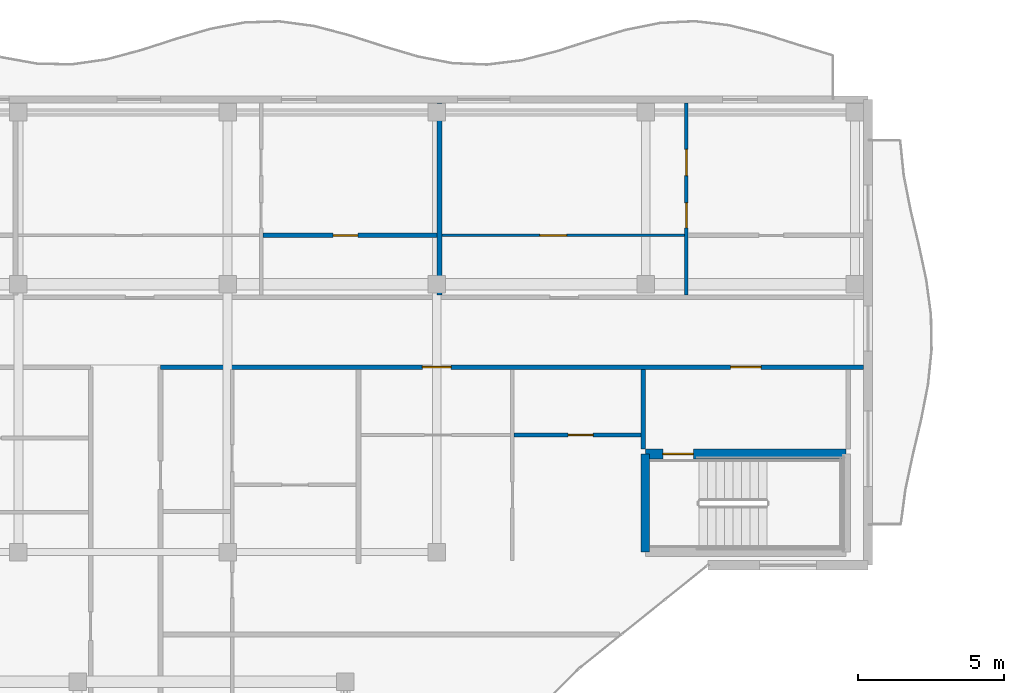
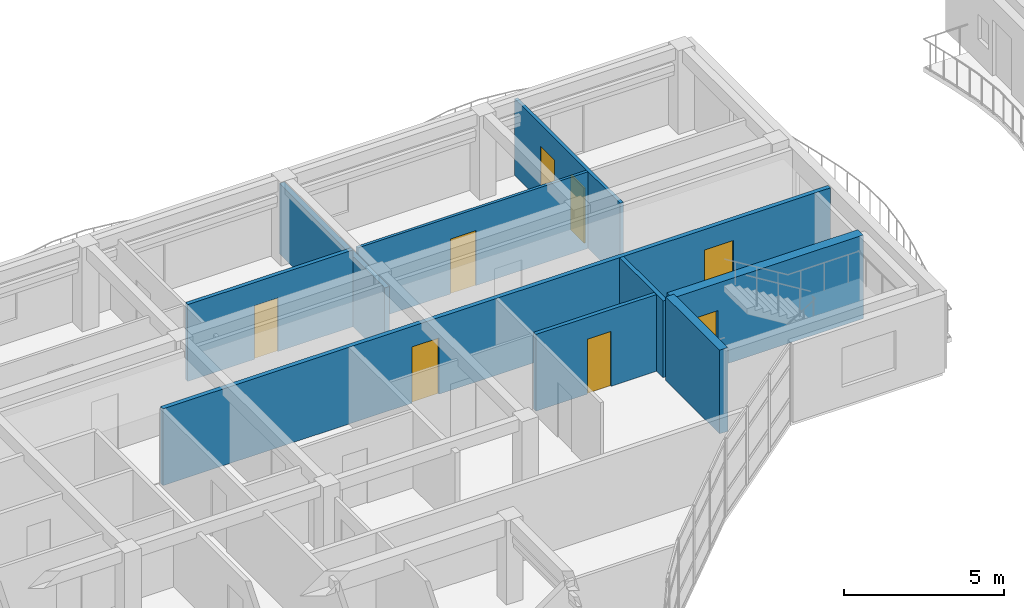
# One storey, part 41 of 72: 9 walls, 8 doors, 8 openings.
"""IFC4 building model written with IfcOpenShell, lengths in metres."""

import ifcopenshell
import ifcopenshell.guid

model = None  # the IFC model being written
_history = None  # IfcOwnerHistory: only IFC2X3 demands one
_inside = {}  # id of a spatial element -> (the spatial element, [elements in it])
_under = {}  # id of a project, library or spatial element -> (it, [spatial elements below it])
_declared = {}  # id of a project -> (the project, [libraries it declares])
_typed = {}  # id of a type object -> (the type object, [elements of that type])
_made_of = {}  # id of a material, layer set ... -> (it, [elements and type objects made of it])


def new_model(schema):
    """Start an empty IFC model of exactly this schema.

    Asked for "IFC4X3", IfcOpenShell would pick the latest addendum, in which some entities
    have other attributes; the version numbers below select the first issue.
    IFC2X3 requires an IfcOwnerHistory on every rooted entity: one is made here for all.
    """
    global model, _history
    if schema == "IFC4X3":
        model = ifcopenshell.file(schema_version=(4, 3, 0, 0))
    else:
        model = ifcopenshell.file(schema=schema)
    _inside.clear()
    _under.clear()
    _declared.clear()
    _typed.clear()
    _made_of.clear()
    _history = None
    if model.schema == "IFC2X3":
        org = make("IfcOrganization", Name="unknown")
        user = make(
            "IfcPersonAndOrganization",
            ThePerson=make("IfcPerson", FamilyName="unknown"),
            TheOrganization=org,
        )
        app = make(
            "IfcApplication",
            ApplicationDeveloper=org,
            Version="unknown",
            ApplicationFullName="unknown",
            ApplicationIdentifier="unknown",
        )
        _history = make(
            "IfcOwnerHistory",
            OwningUser=user,
            OwningApplication=app,
            ChangeAction="ADDED",
            CreationDate=0,
        )
    return model


def make(cls, **values):
    """One entity of the class cls with the attributes given. An attribute that is None is left unset."""
    return model.create_entity(
        cls, **{name: value for name, value in values.items() if value is not None}
    )


def rooted(cls, **values):
    """An entity with a GlobalId (a new one), such as an element, a storey or a relation."""
    return make(cls, GlobalId=ifcopenshell.guid.new(), OwnerHistory=_history, **values)


def si_unit(unit_type, name, prefix=None):
    """IfcSIUnit, for example si_unit("LENGTHUNIT", "METRE", prefix="MILLI")."""
    return make("IfcSIUnit", UnitType=unit_type, Prefix=prefix, Name=name)


def assignment(units):
    """IfcUnitAssignment: the units of a project."""
    return None if units is None else make("IfcUnitAssignment", Units=units)


def point(xyz):
    """IfcCartesianPoint."""
    return None if xyz is None else make("IfcCartesianPoint", Coordinates=xyz)


def direction(xyz):
    """IfcDirection."""
    return None if xyz is None else make("IfcDirection", DirectionRatios=xyz)


def frame(location, z_axis=None, x_axis=None):
    """IfcAxis2Placement3D, a coordinate frame: its origin and axes. An axis left out is left unset."""
    return make(
        "IfcAxis2Placement3D",
        Location=point(location),
        Axis=direction(z_axis),
        RefDirection=direction(x_axis),
    )


def frame_2d(location, x_axis=None):
    """IfcAxis2Placement2D, a coordinate frame in the plane: its origin and x axis."""
    return make(
        "IfcAxis2Placement2D", Location=point(location), RefDirection=direction(x_axis)
    )


def origin():
    """The frame at (0, 0, 0) with its axes left unset."""
    return frame((0.0, 0.0, 0.0))


def place(relative_to, where):
    """IfcLocalPlacement: puts the frame where relative to a parent placement (None: the world)."""
    return make(
        "IfcLocalPlacement", PlacementRelTo=relative_to, RelativePlacement=where
    )


def context(
    kind, dimensions, precision=None, world=None, true_north=None, identifier=None
):
    """IfcGeometricRepresentationContext, for example the 3D "Model" context."""
    return make(
        "IfcGeometricRepresentationContext",
        ContextIdentifier=identifier,
        ContextType=kind,
        CoordinateSpaceDimension=dimensions,
        Precision=precision,
        WorldCoordinateSystem=world,
        TrueNorth=true_north,
    )


def subcontext(parent, identifier, kind, view, scale=None):
    """IfcGeometricRepresentationSubContext, for example "Body" below "Model"."""
    return make(
        "IfcGeometricRepresentationSubContext",
        ContextIdentifier=identifier,
        ContextType=kind,
        ParentContext=parent,
        TargetScale=scale,
        TargetView=view,
    )


def project(units=None, contexts=None):
    """IfcProject with its units and contexts."""
    return rooted(
        "IfcProject",
        Name="project",
        RepresentationContexts=contexts,
        UnitsInContext=assignment(units),
    )


def spatial(cls, under=None, at=None, **own):
    """A site, building, storey or space (cls), placed at a placement, below another one or the project."""
    s = rooted(cls, ObjectPlacement=at, **own)
    if under is not None:
        _under.setdefault(under.id(), (under, []))[1].append(s)
    return s


def profile(cls, at=None, kind="AREA", **sizes):
    """A parametric profile (cls). Its sizes go by their IFC names, for example OverallWidth=200.0."""
    return make(cls, ProfileType=kind, Position=at, **sizes)


def rectangle(**sizes):
    """IfcRectangleProfileDef."""
    return profile("IfcRectangleProfileDef", **sizes)


def extrude(swept, where, along, depth):
    """IfcExtrudedAreaSolid: the profile swept, set in the frame where, extruded along a direction by depth."""
    return make(
        "IfcExtrudedAreaSolid",
        SweptArea=swept,
        Position=where,
        ExtrudedDirection=direction(along),
        Depth=depth,
    )


def shape(context_of_items, identifier, shape_type, items):
    """IfcShapeRepresentation: the items that make up one representation, for example the "Body"."""
    return make(
        "IfcShapeRepresentation",
        ContextOfItems=context_of_items,
        RepresentationIdentifier=identifier,
        RepresentationType=shape_type,
        Items=items,
    )


def material(Name=None, Category=None):
    """IfcMaterial."""
    return make("IfcMaterial", Name=Name, Category=Category)


def layer(
    of_material, thickness, ventilated=None, Name=None, Category=None, Priority=None
):
    """IfcMaterialLayer: one layer of a wall or slab, of a material (None: an air gap)."""
    return make(
        "IfcMaterialLayer",
        Material=of_material,
        LayerThickness=thickness,
        IsVentilated=ventilated,
        Name=Name,
        Category=Category,
        Priority=Priority,
    )


def layer_set(layers, Name=None):
    """IfcMaterialLayerSet."""
    return make("IfcMaterialLayerSet", MaterialLayers=layers, LayerSetName=Name)


def made_of(thing, what):
    """Note that an element or type object is made of a material, layer set ...; save() writes the relation."""
    if what is not None:
        _made_of.setdefault(what.id(), (what, []))[1].append(thing)
    return thing


def type_object(cls, material=None, **own):
    """A type object (cls), such as IfcWallType, which elements share."""
    return made_of(rooted(cls, **own), material)


def element(
    cls,
    number,
    at=None,
    inside=None,
    cuts=None,
    type_object=None,
    material=None,
    context=None,
    identifier="Body",
    shape_type=None,
    held_by="IfcProductDefinitionShape",
    body=None,
    shapes=None,
    **own,
):
    """One element of the class cls, such as IfcWall. Its Tag is "e" and its number.

    at: its placement. inside: the storey or other place that contains it. cuts: it is an
    opening in that element (IfcRelVoidsElement). A single representation is given by context,
    identifier, shape_type and body (its items); several are given by shapes. held_by: the class
    of the entity that holds the representations. save() writes the other relations.
    """
    e = rooted(cls, Tag="e%d" % number, ObjectPlacement=at, **own)
    if body is not None:
        shapes = [shape(context, identifier, shape_type, body)]
    if shapes is not None:
        e.Representation = make(held_by, Representations=shapes)
    if inside is not None:
        _inside.setdefault(inside.id(), (inside, []))[1].append(e)
    if cuts is not None:
        rooted(
            "IfcRelVoidsElement", RelatingBuildingElement=cuts, RelatedOpeningElement=e
        )
    if type_object is not None:
        _typed.setdefault(type_object.id(), (type_object, []))[1].append(e)
    return made_of(e, material)


def fill(opening, filler):
    """IfcRelFillsElement: the door or window that sits in an opening."""
    return rooted(
        "IfcRelFillsElement",
        RelatingOpeningElement=opening,
        RelatedBuildingElement=filler,
    )


def aggregate(whole, parts):
    """IfcRelAggregates: a whole, such as a stair, and the parts it consists of."""
    return rooted("IfcRelAggregates", RelatingObject=whole, RelatedObjects=parts)


def save(model, path):
    """Write the relations noted so far, then the file.

    IfcRelAggregates (storeys below a building ...), IfcRelContainedInSpatialStructure (elements
    in a storey), IfcRelDefinesByType, IfcRelAssociatesMaterial and IfcRelDeclares: one each for
    every whole, place, type object, material and project.
    """
    for whole, parts in _under.values():
        aggregate(whole, parts)
    for where, things in _inside.values():
        rooted(
            "IfcRelContainedInSpatialStructure",
            RelatedElements=things,
            RelatingStructure=where,
        )
    for kind, things in _typed.values():
        rooted("IfcRelDefinesByType", RelatedObjects=things, RelatingType=kind)
    for what, things in _made_of.values():
        rooted("IfcRelAssociatesMaterial", RelatedObjects=things, RelatingMaterial=what)
    for by, libraries in _declared.values():
        rooted("IfcRelDeclares", RelatingContext=by, RelatedDefinitions=libraries)
    model.write(path)


model = new_model("IFC4")

# Units and contexts
model_context = context("Model", 3, precision=1e-05, world=origin(), true_north=direction((0.0, 1.0)))
body_context = subcontext(model_context, "Body", "Model", "MODEL_VIEW")
ifc_project = project(units=[si_unit("LENGTHUNIT", "METRE"), si_unit("AREAUNIT", "SQUARE_METRE"), si_unit("VOLUMEUNIT", "CUBIC_METRE"), si_unit("PLANEANGLEUNIT", "RADIAN"), si_unit("MASSUNIT", "GRAM", prefix="KILO")], contexts=[model_context])

# Site, building, storey
site_placement = place(None, origin())
site = spatial("IfcSite", under=ifc_project, at=site_placement, CompositionType="ELEMENT")
building_placement = place(site_placement, origin())
building = spatial("IfcBuilding", under=site, at=building_placement, Name="Keldmere Railside Commons", CompositionType="ELEMENT")
storey_placement = place(building_placement, frame((0.0, 0.0, 16.9599609375)))
storey = spatial("IfcBuildingStorey", under=building, at=storey_placement, Name="L05", CompositionType="ELEMENT", Elevation=16.9599609375)

# Wall
ifc_material_1 = material(Name="Acoustic Gypsum Board Partition", Category="gypsum")
ifc_layer_1 = layer(ifc_material_1, 0.179931640625, Name="Acoustic Demising Partition 180")
ifc_layer_set_1 = layer_set([ifc_layer_1], Name="Acoustic Gypsum Board Partition")
wall_type_1 = type_object("IfcWallType", Name="Acoustic Demising Partition 180", PredefinedType="PARTITIONING", material=ifc_layer_set_1)
wall_1_placement = place(storey_placement, frame((122.780029296875, 109.280029296875, 0.0), z_axis=(0.0, 0.0, 1.0), x_axis=(0.0, 1.0, 0.0)))
element("IfcWall", 1, at=wall_1_placement, inside=storey, type_object=wall_type_1, Name="IW-1 IW-L05-1122", PredefinedType="PARTITIONING", context=body_context, shape_type="SweptSolid", body=[
    extrude(rectangle(XDim=6.599853515625, YDim=0.179931640625, at=frame_2d((3.2998046875, 0.0))), origin(), (0.0, 0.0, 1.0), 2.679931640625),
])

# Wall, openings, doors
ifc_layer_2 = layer(ifc_material_1, 0.1201171875, Name="Apartment Interior Partition 120")
ifc_layer_set_2 = layer_set([ifc_layer_2], Name="Acoustic Gypsum Board Partition")
wall_type_2 = type_object("IfcWallType", Name="Apartment Interior Partition 120", PredefinedType="PARTITIONING", material=ifc_layer_set_2)
wall_2_placement = place(storey_placement, frame((131.260009765625, 109.280029296875, 0.0), z_axis=(0.0, 0.0, 1.0), x_axis=(0.0, 1.0, 0.0)))
wall_2 = element("IfcWall", 2, at=wall_2_placement, inside=storey, type_object=wall_type_2, Name="IW-4 IW-L05-1129", PredefinedType="PARTITIONING", context=body_context, shape_type="SweptSolid", body=[
    extrude(rectangle(XDim=6.599853515625, YDim=0.1201171875, at=frame_2d((3.2998046875, 0.0))), origin(), (0.0, 0.0, 1.0), 2.93505859375),
])
opening_1_placement = place(wall_2_placement, frame((2.305908203125, 0.0, 0.0)))
opening_1 = element("IfcOpeningElement", 3, at=opening_1_placement, cuts=wall_2, Name="Opening ID-04", PredefinedType="OPENING", context=body_context, shape_type="SweptSolid", body=[
    extrude(rectangle(XDim=0.860107421875, YDim=2.10009765625, at=frame_2d((0.43017578125, 1.050048828125))), frame((0.0, 0.070068359375, 0.0), z_axis=(0.0, -1.0, 0.0), x_axis=(1.0, 0.0, 0.0)), (0.0, 0.0, 1.0), 0.14013671875),
])
opening_2_placement = place(wall_2_placement, frame((4.097412109375, 0.0, 0.0)))
opening_2 = element("IfcOpeningElement", 4, at=opening_2_placement, cuts=wall_2, Name="Opening ID-01", PredefinedType="OPENING", context=body_context, shape_type="SweptSolid", body=[
    extrude(rectangle(XDim=0.89990234375, YDim=2.10009765625, at=frame_2d((0.449951171875, 1.050048828125))), frame((0.0, 0.070068359375, 0.0), z_axis=(0.0, -1.0, 0.0), x_axis=(1.0, 0.0, 0.0)), (0.0, 0.0, 1.0), 0.14013671875),
])
ifc_material_2 = material(Name="Engineered Oak Timber", Category="wood")
door_type_1 = type_object("IfcDoorType", Name="Apartment Bathroom Door 860x2100", OperationType="NOTDEFINED", PredefinedType="DOOR", material=ifc_material_2)
door_1_placement = place(opening_1_placement, origin())
door_1 = element("IfcDoor", 5, at=door_1_placement, inside=storey, type_object=door_type_1, Name="ID-04 IDR-L05-0998", OperationType="SINGLE_SWING_RIGHT", OverallHeight=2.10009765625, OverallWidth=0.860107421875, PredefinedType="DOOR", context=body_context, shape_type="SweptSolid", body=[
    extrude(rectangle(XDim=0.860107421875, YDim=2.10009765625, at=frame_2d((0.43017578125, 1.050048828125))), frame((0.0, 0.02490234375, 0.0), z_axis=(0.0, -1.0, 0.0), x_axis=(1.0, 0.0, 0.0)), (0.0, 0.0, 1.0), 0.050048828125),
])
fill(opening_1, door_1)
door_type_2 = type_object("IfcDoorType", Name="Primary Bedroom Door 900x2100", OperationType="NOTDEFINED", PredefinedType="DOOR", material=ifc_material_2)
door_2_placement = place(opening_2_placement, origin())
door_2 = element("IfcDoor", 6, at=door_2_placement, inside=storey, type_object=door_type_2, Name="ID-01 IDR-L05-0999", OperationType="SINGLE_SWING_LEFT", OverallHeight=2.10009765625, OverallWidth=0.89990234375, PredefinedType="DOOR", context=body_context, shape_type="SweptSolid", body=[
    extrude(rectangle(XDim=0.89990234375, YDim=2.10009765625, at=frame_2d((0.449951171875, 1.050048828125))), frame((0.0, 0.02490234375, 0.0), z_axis=(0.0, -1.0, 0.0), x_axis=(1.0, 0.0, 0.0)), (0.0, 0.0, 1.0), 0.050048828125),
])
fill(opening_2, door_2)

# Wall, opening, door
ifc_layer_3 = layer(ifc_material_1, 0.10009765625, Name="Closet Light Partition 100")
ifc_layer_set_3 = layer_set([ifc_layer_3], Name="Acoustic Gypsum Board Partition")
wall_type_3 = type_object("IfcWallType", Name="Closet Light Partition 100", PredefinedType="PARTITIONING", material=ifc_layer_set_3)
wall_3_placement = place(storey_placement, frame((122.8701171875, 111.330078125, 0.0), z_axis=(0.0, 0.0, 1.0), x_axis=(1.0, 0.0, 0.0)))
wall_3 = element("IfcWall", 7, at=wall_3_placement, inside=storey, type_object=wall_type_3, Name="IW-6 IW-L05-1131", PredefinedType="PARTITIONING", context=body_context, shape_type="SweptSolid", body=[
    extrude(rectangle(XDim=8.329833984375, YDim=0.10009765625, at=frame_2d((4.1650390625, 0.0))), origin(), (0.0, 0.0, 1.0), 2.93505859375),
])
opening_3_placement = place(wall_3_placement, frame((3.35595703125, 0.0, 0.0)))
opening_3 = element("IfcOpeningElement", 8, at=opening_3_placement, cuts=wall_3, Name="Opening ID-03", PredefinedType="OPENING", context=body_context, shape_type="SweptSolid", body=[
    extrude(rectangle(XDim=0.919921875, YDim=2.10009765625, at=frame_2d((0.4599609375, 1.050048828125))), frame((0.0, 0.06005859375, 0.0), z_axis=(0.0, -1.0, 0.0), x_axis=(1.0, 0.0, 0.0)), (0.0, 0.0, 1.0), 0.1201171875),
])
door_type_3 = type_object("IfcDoorType", Name="Kitchen Pocket-Frame Swing Door 920x2100", OperationType="NOTDEFINED", PredefinedType="DOOR", material=ifc_material_2)
door_3_placement = place(opening_3_placement, origin())
door_3 = element("IfcDoor", 9, at=door_3_placement, inside=storey, type_object=door_type_3, Name="ID-03 IDR-L05-0997", OperationType="SINGLE_SWING_LEFT", OverallHeight=2.10009765625, OverallWidth=0.919921875, PredefinedType="DOOR", context=body_context, shape_type="SweptSolid", body=[
    extrude(rectangle(XDim=0.919921875, YDim=2.10009765625, at=frame_2d((0.4599609375, 1.050048828125))), frame((0.0, 0.02490234375, 0.0), z_axis=(0.0, -1.0, 0.0), x_axis=(1.0, 0.0, 0.0)), (0.0, 0.0, 1.0), 0.050048828125),
])
fill(opening_3, door_3)

# Wall, openings, doors
ifc_layer_4 = layer(ifc_material_1, 0.159912109375, Name="Corridor Fire Partition 160")
ifc_layer_set_4 = layer_set([ifc_layer_4], Name="Acoustic Gypsum Board Partition")
wall_type_4 = type_object("IfcWallType", Name="Corridor Fire Partition 160", PredefinedType="PARTITIONING", material=ifc_layer_set_4)
wall_4_placement = place(storey_placement, frame((113.199951171875, 106.800048828125, 0.0), z_axis=(0.0, 0.0, 1.0), x_axis=(1.0, 0.0, 0.0)))
wall_4 = element("IfcWall", 10, at=wall_4_placement, inside=storey, type_object=wall_type_4, Name="IW-2 IW-L05-1098", PredefinedType="PARTITIONING", context=body_context, shape_type="SweptSolid", body=[
    extrude(rectangle(XDim=24.14013671875, YDim=0.159912109375, at=frame_2d((12.070068359375, 0.0))), origin(), (0.0, 0.0, 1.0), 2.93505859375),
])
opening_4_placement = place(wall_4_placement, frame((19.574951171875, 0.0, 0.0)))
opening_4 = element("IfcOpeningElement", 11, at=opening_4_placement, cuts=wall_4, Name="Opening FD-1", PredefinedType="OPENING", context=body_context, shape_type="SweptSolid", body=[
    extrude(rectangle(XDim=1.050048828125, YDim=2.14990234375, at=frame_2d((0.52490234375, 1.074951171875))), frame((0.0, 0.08984375, 0.0), z_axis=(0.0, -1.0, 0.0), x_axis=(1.0, 0.0, 0.0)), (0.0, 0.0, 1.0), 0.179931640625),
])
opening_5_placement = place(wall_4_placement, frame((8.9951171875, 0.0, 0.0)))
opening_5 = element("IfcOpeningElement", 12, at=opening_5_placement, cuts=wall_4, Name="Opening FD-7", PredefinedType="OPENING", context=body_context, shape_type="SweptSolid", body=[
    extrude(rectangle(XDim=0.97998046875, YDim=2.14990234375, at=frame_2d((0.489990234375, 1.074951171875))), frame((0.0, 0.08984375, 0.0), z_axis=(0.0, -1.0, 0.0), x_axis=(1.0, 0.0, 0.0)), (0.0, 0.0, 1.0), 0.179931640625),
])
door_type_4 = type_object("IfcDoorType", Name="Apartment Entrance Acoustic Fire Door 980x2150", OperationType="NOTDEFINED", PredefinedType="DOOR", material=ifc_material_2)
door_4_placement = place(opening_5_placement, origin())
door_4 = element("IfcDoor", 13, at=door_4_placement, inside=storey, type_object=door_type_4, Name="FD-7 IDR-L05-1001", OperationType="SINGLE_SWING_LEFT", OverallHeight=2.14990234375, OverallWidth=0.97998046875, PredefinedType="DOOR", context=body_context, shape_type="SweptSolid", body=[
    extrude(rectangle(XDim=0.97998046875, YDim=2.14990234375, at=frame_2d((0.489990234375, 1.074951171875))), frame((0.0, 0.02490234375, 0.0), z_axis=(0.0, -1.0, 0.0), x_axis=(1.0, 0.0, 0.0)), (0.0, 0.0, 1.0), 0.050048828125),
])
fill(opening_5, door_4)
ifc_material_3 = material(Name="Steel F-24 (S235)", Category="steel")
door_type_5 = type_object("IfcDoorType", Name="Stair Core Fire Door 1050x2150", OperationType="NOTDEFINED", PredefinedType="DOOR", material=ifc_material_3)
door_5_placement = place(opening_4_placement, origin())
door_5 = element("IfcDoor", 14, at=door_5_placement, inside=storey, type_object=door_type_5, Name="FD-1 IDR-L05-0965", OperationType="SINGLE_SWING_LEFT", OverallHeight=2.14990234375, OverallWidth=1.050048828125, PredefinedType="DOOR", context=body_context, shape_type="SweptSolid", body=[
    extrude(rectangle(XDim=1.050048828125, YDim=2.14990234375, at=frame_2d((0.52490234375, 1.074951171875))), frame((0.0, 0.02490234375, 0.0), z_axis=(0.0, -1.0, 0.0), x_axis=(1.0, 0.0, 0.0)), (0.0, 0.0, 1.0), 0.050048828125),
])
fill(opening_4, door_5)

# Wall
ifc_material_4 = material(Name="Concrete H-35 (C35/45)", Category="concrete")
ifc_layer_5 = layer(ifc_material_4, 0.300048828125, Name="Interior Shear Wall 300")
ifc_layer_set_5 = layer_set([ifc_layer_5], Name="Concrete H-35 (C35/45)")
wall_type_5 = type_object("IfcWallType", Name="Interior Shear Wall 300", PredefinedType="SHEAR", material=ifc_layer_set_5)
wall_5_placement = place(storey_placement, frame((129.85009765625, 103.820068359375, 0.0), z_axis=(0.0, 0.0, 1.0), x_axis=(0.0, -1.0, 0.0)))
element("IfcWall", 15, at=wall_5_placement, inside=storey, type_object=wall_type_5, Name="ISW-2 COREB2W-L05-0502", PredefinedType="SHEAR", context=body_context, shape_type="SweptSolid", body=[
    extrude(rectangle(XDim=3.3701171875, YDim=0.300048828125, at=frame_2d((1.68505859375, 0.0))), origin(), (0.0, 0.0, 1.0), 3.199951171875),
])

# Wall, opening, door
ifc_layer_6 = layer(ifc_material_4, 0.340087890625, Name="Interior Shear Wall 340")
ifc_layer_set_6 = layer_set([ifc_layer_6], Name="Concrete H-35 (C35/45)")
wall_type_6 = type_object("IfcWallType", Name="Interior Shear Wall 340", PredefinedType="SHEAR", material=ifc_layer_set_6)
wall_6_placement = place(storey_placement, frame((136.75, 103.820068359375, 0.0), z_axis=(0.0, 0.0, 1.0), x_axis=(-1.0, 0.0, 0.0)))
wall_6 = element("IfcWall", 16, at=wall_6_placement, inside=storey, type_object=wall_type_6, Name="ISW-1 COREB2N-L05-0501", PredefinedType="SHEAR", context=body_context, shape_type="SweptSolid", body=[
    extrude(rectangle(XDim=6.89990234375, YDim=0.340087890625, at=frame_2d((3.449951171875, 0.0))), origin(), (0.0, 0.0, 1.0), 3.199951171875),
])
opening_6_placement = place(wall_6_placement, frame((5.25, 0.0, 0.0)))
opening_6 = element("IfcOpeningElement", 17, at=opening_6_placement, cuts=wall_6, Name="Opening FD-1", PredefinedType="OPENING", context=body_context, shape_type="SweptSolid", body=[
    extrude(rectangle(XDim=1.050048828125, YDim=2.14990234375, at=frame_2d((0.52490234375, 1.074951171875))), frame((0.0, 0.179931640625, 0.0), z_axis=(0.0, -1.0, 0.0), x_axis=(1.0, 0.0, 0.0)), (0.0, 0.0, 1.0), 0.360107421875),
])
door_6_placement = place(opening_6_placement, origin())
door_6 = element("IfcDoor", 18, at=door_6_placement, inside=storey, type_object=door_type_5, Name="FD-1 B2 L05", OperationType="SINGLE_SWING_RIGHT", OverallHeight=2.14990234375, OverallWidth=1.050048828125, PredefinedType="DOOR", context=body_context, shape_type="SweptSolid", body=[
    extrude(rectangle(XDim=1.050048828125, YDim=2.14990234375, at=frame_2d((0.52490234375, 1.074951171875))), frame((0.0, 0.02490234375, 0.0), z_axis=(0.0, -1.0, 0.0), x_axis=(1.0, 0.0, 0.0)), (0.0, 0.0, 1.0), 0.050048828125),
])
fill(opening_6, door_6)

# Wall
ifc_layer_7 = layer(ifc_material_1, 0.14990234375, Name="Lobby Rated Partition 150")
ifc_layer_set_7 = layer_set([ifc_layer_7], Name="Acoustic Gypsum Board Partition")
wall_type_7 = type_object("IfcWallType", Name="Lobby Rated Partition 150", PredefinedType="PARTITIONING", material=ifc_layer_set_7)
wall_7_placement = place(storey_placement, frame((129.780029296875, 103.989990234375, 0.0), z_axis=(0.0, 0.0, 1.0), x_axis=(0.0, 1.0, 0.0)))
element("IfcWall", 19, at=wall_7_placement, inside=storey, type_object=wall_type_7, Name="IW-3 IW-L05-1102", PredefinedType="PARTITIONING", context=body_context, shape_type="SweptSolid", body=[
    extrude(rectangle(XDim=2.72998046875, YDim=0.14990234375, at=frame_2d((1.364990234375, 0.0))), origin(), (0.0, 0.0, 1.0), 2.93505859375),
])

# Wall, opening, door
ifc_layer_8 = layer(ifc_material_1, 0.139892578125, Name="Wet-Room Sanitary Partition 140")
ifc_layer_set_8 = layer_set([ifc_layer_8], Name="Acoustic Gypsum Board Partition")
wall_type_8 = type_object("IfcWallType", Name="Wet-Room Sanitary Partition 140", PredefinedType="PARTITIONING", material=ifc_layer_set_8)
wall_8_placement = place(storey_placement, frame((116.7099609375, 111.330078125, 0.0), z_axis=(0.0, 0.0, 1.0), x_axis=(1.0, 0.0, 0.0)))
wall_8 = element("IfcWall", 20, at=wall_8_placement, inside=storey, type_object=wall_type_8, Name="IW-5 IW-L05-1127", PredefinedType="PARTITIONING", context=body_context, shape_type="SweptSolid", body=[
    extrude(rectangle(XDim=5.97998046875, YDim=0.139892578125, at=frame_2d((2.989990234375, 0.0))), origin(), (0.0, 0.0, 1.0), 2.93505859375),
])
opening_7_placement = place(wall_8_placement, frame((2.416015625, 0.0, 0.0)))
opening_7 = element("IfcOpeningElement", 21, at=opening_7_placement, cuts=wall_8, Name="Opening ID-06", PredefinedType="OPENING", context=body_context, shape_type="SweptSolid", body=[
    extrude(rectangle(XDim=0.85009765625, YDim=2.050048828125, at=frame_2d((0.425048828125, 1.02490234375))), frame((0.0, 0.079833984375, 0.0), z_axis=(0.0, -1.0, 0.0), x_axis=(1.0, 0.0, 0.0)), (0.0, 0.0, 1.0), 0.159912109375),
])
door_type_6 = type_object("IfcDoorType", Name="Storage Closet Door 850x2050", OperationType="NOTDEFINED", PredefinedType="DOOR", material=ifc_material_2)
door_7_placement = place(opening_7_placement, origin())
door_7 = element("IfcDoor", 22, at=door_7_placement, inside=storey, type_object=door_type_6, Name="ID-06 IDR-L05-0995", OperationType="SINGLE_SWING_LEFT", OverallHeight=2.050048828125, OverallWidth=0.85009765625, PredefinedType="DOOR", context=body_context, shape_type="SweptSolid", body=[
    extrude(rectangle(XDim=0.85009765625, YDim=2.050048828125, at=frame_2d((0.425048828125, 1.02490234375))), frame((0.0, 0.02490234375, 0.0), z_axis=(0.0, -1.0, 0.0), x_axis=(1.0, 0.0, 0.0)), (0.0, 0.0, 1.0), 0.050048828125),
])
fill(opening_7, door_7)

wall_9_placement = place(storey_placement, frame((125.340087890625, 104.469970703125, 0.0), z_axis=(0.0, 0.0, 1.0), x_axis=(1.0, 0.0, 0.0)))
wall_9 = element("IfcWall", 23, at=wall_9_placement, inside=storey, type_object=wall_type_8, Name="IW-5 IW-L05-1133", PredefinedType="PARTITIONING", context=body_context, shape_type="SweptSolid", body=[
    extrude(rectangle(XDim=4.35986328125, YDim=0.139892578125, at=frame_2d((2.179931640625, 0.0))), origin(), (0.0, 0.0, 1.0), 2.93505859375),
])
opening_8_placement = place(wall_9_placement, frame((1.8564453125, 0.0, 0.0)))
opening_8 = element("IfcOpeningElement", 24, at=opening_8_placement, cuts=wall_9, Name="Opening ID-04", PredefinedType="OPENING", context=body_context, shape_type="SweptSolid", body=[
    extrude(rectangle(XDim=0.860107421875, YDim=2.10009765625, at=frame_2d((0.43017578125, 1.050048828125))), frame((0.0, 0.079833984375, 0.0), z_axis=(0.0, -1.0, 0.0), x_axis=(1.0, 0.0, 0.0)), (0.0, 0.0, 1.0), 0.159912109375),
])
door_8_placement = place(opening_8_placement, origin())
door_8 = element("IfcDoor", 25, at=door_8_placement, inside=storey, type_object=door_type_1, Name="ID-04 IDR-L05-1004", OperationType="SINGLE_SWING_RIGHT", OverallHeight=2.10009765625, OverallWidth=0.860107421875, PredefinedType="DOOR", context=body_context, shape_type="SweptSolid", body=[
    extrude(rectangle(XDim=0.860107421875, YDim=2.10009765625, at=frame_2d((0.43017578125, 1.050048828125))), frame((0.0, 0.02490234375, 0.0), z_axis=(0.0, -1.0, 0.0), x_axis=(1.0, 0.0, 0.0)), (0.0, 0.0, 1.0), 0.050048828125),
])
fill(opening_8, door_8)

save(model, "model.ifc")
